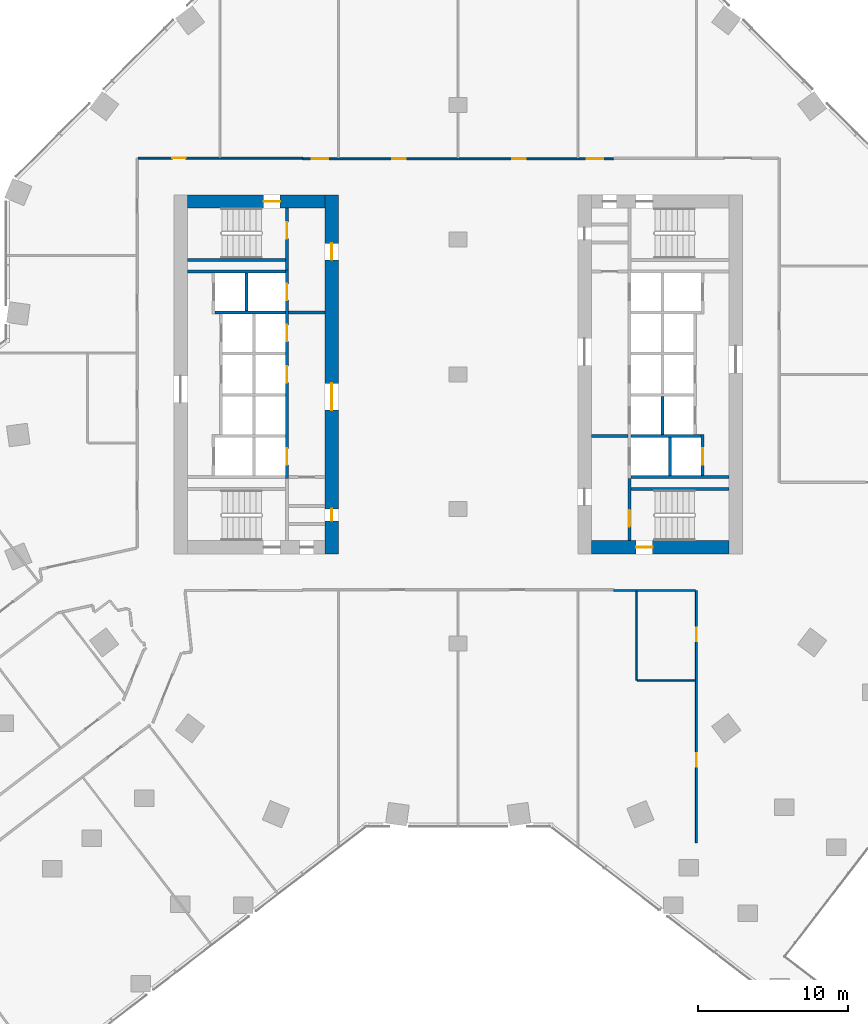
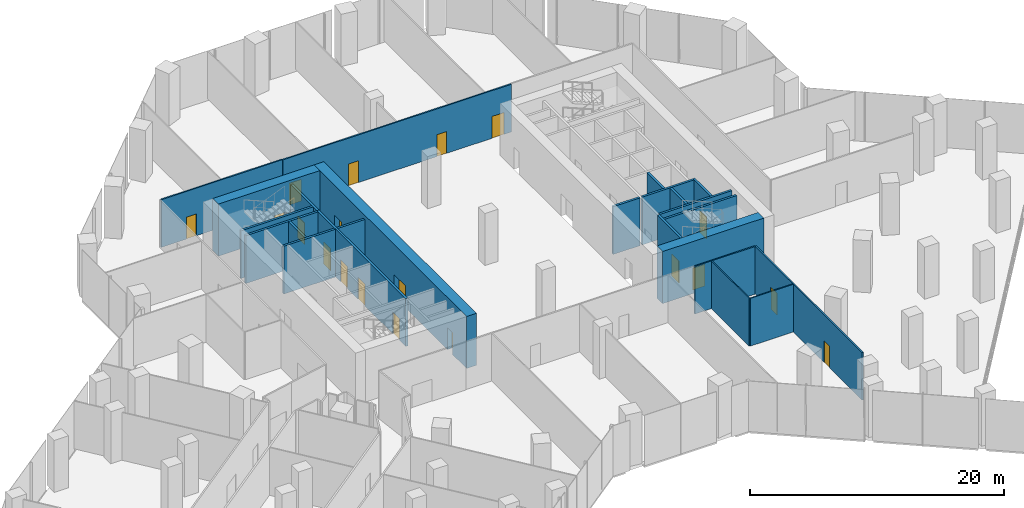
# One storey, part 24 of 29: 24 walls, 19 doors, 19 openings.
"""IFC4 building model written with IfcOpenShell, lengths in metres."""

from ifc_helpers import new_model, si_unit, direction, frame, frame_2d, origin, place, context, subcontext, project, spatial, rectangle, extrude, material, layer, layer_set, type_object, element, fill, save


model = new_model("IFC4")

# Units and contexts
model_context = context("Model", 3, precision=1e-05, world=origin(), true_north=direction((0.0, 1.0)))
body_context = subcontext(model_context, "Body", "Model", "MODEL_VIEW")
ifc_project = project(units=[si_unit("LENGTHUNIT", "METRE"), si_unit("AREAUNIT", "SQUARE_METRE"), si_unit("VOLUMEUNIT", "CUBIC_METRE"), si_unit("PLANEANGLEUNIT", "RADIAN"), si_unit("MASSUNIT", "GRAM", prefix="KILO")], contexts=[model_context])

# Site, building, storey
site_placement = place(None, origin())
site = spatial("IfcSite", under=ifc_project, at=site_placement, CompositionType="ELEMENT")
building_placement = place(site_placement, origin())
building = spatial("IfcBuilding", under=site, at=building_placement, Name="Orlundy Tower", CompositionType="ELEMENT")
storey_placement = place(building_placement, frame((0.0, 0.0, 15.5)))
storey = spatial("IfcBuildingStorey", under=building, at=storey_placement, Name="L02", CompositionType="ELEMENT", Elevation=15.5)

# Wall, opening, door
ifc_material_1 = material(Name="Concrete C80/95", Category="concrete")
ifc_layer_1 = layer(ifc_material_1, 0.89990234375)
ifc_layer_set_1 = layer_set([ifc_layer_1], Name="CORE WALL 900 C80/95")
wall_type_1 = type_object("IfcWallType", Name="CORE WALL 900 C80/95", PredefinedType="SHEAR", material=ifc_layer_set_1)
wall_1_placement = place(storey_placement, frame((-18.10009765625, 11.550048828125, 0.0), z_axis=(0.0, 0.0, 1.0), x_axis=(1.0, 0.0, 0.0)))
wall_1 = element("IfcWall", 1, at=wall_1_placement, inside=storey, type_object=wall_type_1, Name="Core wall W-N L02", PredefinedType="SHEAR", context=body_context, shape_type="SweptSolid", body=[
    extrude(rectangle(XDim=9.2001953125, YDim=0.89990234375, at=frame_2d((4.60009765625, 0.0))), origin(), (0.0, 0.0, 1.0), 5.0),
])
opening_1_placement = place(wall_1_placement, frame((5.10009765625, 0.0, 0.0)))
opening_1 = element("IfcOpeningElement", 2, at=opening_1_placement, cuts=wall_1, Name="Opening 03012", PredefinedType="OPENING", context=body_context, shape_type="SweptSolid", body=[
    extrude(rectangle(XDim=1.10009765625, YDim=2.10009765625, at=frame_2d((0.550048828125, 1.050048828125))), frame((0.0, 0.4599609375, 0.0), z_axis=(0.0, -1.0, 0.0), x_axis=(1.0, 0.0, 0.0)), (0.0, 0.0, 1.0), 0.919921875),
])
ifc_material_2 = material(Name="Steel door set", Category="steel")
door_type_1 = type_object("IfcDoorType", Name="Stair Door 1100x2100", OperationType="SINGLE_SWING_LEFT", PredefinedType="DOOR", material=ifc_material_2)
door_1_placement = place(opening_1_placement, origin())
door_1 = element("IfcDoor", 3, at=door_1_placement, inside=storey, type_object=door_type_1, Name="Stair door 03012", OperationType="SINGLE_SWING_RIGHT", OverallHeight=2.10009765625, OverallWidth=1.10009765625, PredefinedType="DOOR", context=body_context, shape_type="SweptSolid", body=[
    extrude(rectangle(XDim=1.10009765625, YDim=2.10009765625, at=frame_2d((0.550048828125, 1.050048828125))), frame((0.0, 0.02490234375, 0.0), z_axis=(0.0, -1.0, 0.0), x_axis=(1.0, 0.0, 0.0)), (0.0, 0.0, 1.0), 0.050048828125),
])
fill(opening_1, door_1)

# Wall, openings, doors
wall_2_placement = place(storey_placement, frame((-8.449951171875, -12.0, 0.0), z_axis=(0.0, 0.0, 1.0), x_axis=(0.0, 1.0, 0.0)))
wall_2 = element("IfcWall", 4, at=wall_2_placement, inside=storey, type_object=wall_type_1, Name="Core wall W-E L02", PredefinedType="SHEAR", context=body_context, shape_type="SweptSolid", body=[
    extrude(rectangle(XDim=24.0, YDim=0.89990234375, at=frame_2d((12.0, 0.0))), origin(), (0.0, 0.0, 1.0), 5.0),
])
opening_2_placement = place(wall_2_placement, frame((9.60009765625, 0.0, 0.0)))
opening_2 = element("IfcOpeningElement", 5, at=opening_2_placement, cuts=wall_2, Name="Opening 03009", PredefinedType="OPENING", context=body_context, shape_type="SweptSolid", body=[
    extrude(rectangle(XDim=1.800048828125, YDim=2.10009765625, at=frame_2d((0.89990234375, 1.050048828125))), frame((0.0, 0.4599609375, 0.0), z_axis=(0.0, -1.0, 0.0), x_axis=(1.0, 0.0, 0.0)), (0.0, 0.0, 1.0), 0.919921875),
])
opening_3_placement = place(wall_2_placement, frame((19.64990234375, 0.0, 0.0)))
opening_3 = element("IfcOpeningElement", 6, at=opening_3_placement, cuts=wall_2, Name="Opening 03011", PredefinedType="OPENING", context=body_context, shape_type="SweptSolid", body=[
    extrude(rectangle(XDim=1.10009765625, YDim=2.10009765625, at=frame_2d((0.550048828125, 1.050048828125))), frame((0.0, 0.4599609375, 0.0), z_axis=(0.0, -1.0, 0.0), x_axis=(1.0, 0.0, 0.0)), (0.0, 0.0, 1.0), 0.919921875),
])
opening_4_placement = place(wall_2_placement, frame((2.199951171875, 0.0, 0.0)))
opening_4 = element("IfcOpeningElement", 7, at=opening_4_placement, cuts=wall_2, Name="Opening 03016", PredefinedType="OPENING", context=body_context, shape_type="SweptSolid", body=[
    extrude(rectangle(XDim=0.800048828125, YDim=2.10009765625, at=frame_2d((0.39990234375, 1.050048828125))), frame((0.0, 0.4599609375, 0.0), z_axis=(0.0, -1.0, 0.0), x_axis=(1.0, 0.0, 0.0)), (0.0, 0.0, 1.0), 0.919921875),
])
ifc_material_3 = material(Name="Steel door set", Category="steel")
door_type_2 = type_object("IfcDoorType", Name="Fire-fighting Lobby Door 1100x2100", OperationType="SINGLE_SWING_LEFT", PredefinedType="DOOR", material=ifc_material_3)
door_2_placement = place(opening_3_placement, origin())
door_2 = element("IfcDoor", 8, at=door_2_placement, inside=storey, type_object=door_type_2, Name="Fire-fighting lobby door 03011", OperationType="SINGLE_SWING_RIGHT", OverallHeight=2.10009765625, OverallWidth=1.10009765625, PredefinedType="DOOR", context=body_context, shape_type="SweptSolid", body=[
    extrude(rectangle(XDim=1.10009765625, YDim=2.10009765625, at=frame_2d((0.550048828125, 1.050048828125))), frame((0.0, 0.02490234375, 0.0), z_axis=(0.0, -1.0, 0.0), x_axis=(1.0, 0.0, 0.0)), (0.0, 0.0, 1.0), 0.050048828125),
])
fill(opening_3, door_2)
ifc_material_4 = material(Name="Timber door set", Category="wood")
door_type_3 = type_object("IfcDoorType", Name="Lobby Door 1800x2100", OperationType="DOUBLE_DOOR_DOUBLE_SWING", PredefinedType="DOOR", material=ifc_material_4)
door_3_placement = place(opening_2_placement, origin())
door_3 = element("IfcDoor", 9, at=door_3_placement, inside=storey, type_object=door_type_3, Name="Lift lobby door 03009", OperationType="SINGLE_SWING_LEFT", OverallHeight=2.10009765625, OverallWidth=1.800048828125, PredefinedType="DOOR", context=body_context, shape_type="SweptSolid", body=[
    extrude(rectangle(XDim=1.800048828125, YDim=2.10009765625, at=frame_2d((0.89990234375, 1.050048828125))), frame((0.0, 0.02490234375, 0.0), z_axis=(0.0, -1.0, 0.0), x_axis=(1.0, 0.0, 0.0)), (0.0, 0.0, 1.0), 0.050048828125),
])
fill(opening_2, door_3)
ifc_material_5 = material(Name="Timber door set", Category="wood")
door_type_4 = type_object("IfcDoorType", Name="Riser Door 800x2100", OperationType="SINGLE_SWING_LEFT", PredefinedType="DOOR", material=ifc_material_5)
door_4_placement = place(opening_4_placement, origin())
door_4 = element("IfcDoor", 10, at=door_4_placement, inside=storey, type_object=door_type_4, Name="Door 03016", OperationType="SINGLE_SWING_LEFT", OverallHeight=2.10009765625, OverallWidth=0.800048828125, PredefinedType="DOOR", context=body_context, shape_type="SweptSolid", body=[
    extrude(rectangle(XDim=0.800048828125, YDim=2.10009765625, at=frame_2d((0.39990234375, 1.050048828125))), frame((0.0, 0.02490234375, 0.0), z_axis=(0.0, -1.0, 0.0), x_axis=(1.0, 0.0, 0.0)), (0.0, 0.0, 1.0), 0.050048828125),
])
fill(opening_4, door_4)

# Wall, opening, door
wall_3_placement = place(storey_placement, frame((8.89990234375, -11.550048828125, 0.0), z_axis=(0.0, 0.0, 1.0), x_axis=(1.0, 0.0, 0.0)))
wall_3 = element("IfcWall", 11, at=wall_3_placement, inside=storey, type_object=wall_type_1, Name="Core wall E-S L02", PredefinedType="SHEAR", context=body_context, shape_type="SweptSolid", body=[
    extrude(rectangle(XDim=9.2001953125, YDim=0.89990234375, at=frame_2d((4.60009765625, 0.0))), origin(), (0.0, 0.0, 1.0), 5.0),
])
opening_5_placement = place(wall_3_placement, frame((3.0, 0.0, 0.0)))
opening_5 = element("IfcOpeningElement", 12, at=opening_5_placement, cuts=wall_3, Name="Opening 03061", PredefinedType="OPENING", context=body_context, shape_type="SweptSolid", body=[
    extrude(rectangle(XDim=1.10009765625, YDim=2.10009765625, at=frame_2d((0.550048828125, 1.050048828125))), frame((0.0, 0.4599609375, 0.0), z_axis=(0.0, -1.0, 0.0), x_axis=(1.0, 0.0, 0.0)), (0.0, 0.0, 1.0), 0.919921875),
])
door_5_placement = place(opening_5_placement, origin())
door_5 = element("IfcDoor", 13, at=door_5_placement, inside=storey, type_object=door_type_1, Name="Stair door 03061", OperationType="SINGLE_SWING_LEFT", OverallHeight=2.10009765625, OverallWidth=1.10009765625, PredefinedType="DOOR", context=body_context, shape_type="SweptSolid", body=[
    extrude(rectangle(XDim=1.10009765625, YDim=2.10009765625, at=frame_2d((0.550048828125, 1.050048828125))), frame((0.0, 0.02490234375, 0.0), z_axis=(0.0, -1.0, 0.0), x_axis=(1.0, 0.0, 0.0)), (0.0, 0.0, 1.0), 0.050048828125),
])
fill(opening_5, door_5)

# Walls
ifc_material_6 = material(Name="Gypsum board partition")
ifc_layer_2 = layer(ifc_material_6, 0.10009765625)
ifc_layer_set_2 = layer_set([ifc_layer_2], Name="Floor partition 100")
wall_type_2 = type_object("IfcWallType", Name="Floor partition 100", PredefinedType="PARTITIONING", material=ifc_layer_set_2)
wall_4_placement = place(storey_placement, frame((11.972900390625, -20.449951171875, 0.0), z_axis=(0.0, 0.0, 1.0), x_axis=(1.0, 0.0, 0.0)))
element("IfcWall", 14, at=wall_4_placement, inside=storey, type_object=wall_type_2, Name="wall-int-L02-021", PredefinedType="PARTITIONING", context=body_context, shape_type="SweptSolid", body=[
    extrude(rectangle(XDim=3.885009765625, YDim=0.10009765625, at=frame_2d((1.9423828125, 0.0))), origin(), (0.0, 0.0, 1.0), 4.580078125),
])
wall_5_placement = place(storey_placement, frame((11.923095703125, -20.449951171875, 0.0), z_axis=(0.0, 0.0, 1.0), x_axis=(0.0, 1.0, 0.0)))
element("IfcWall", 15, at=wall_5_placement, inside=storey, type_object=wall_type_2, Name="wall-int-L02-053", PredefinedType="PARTITIONING", context=body_context, shape_type="SweptSolid", body=[
    extrude(rectangle(XDim=5.93603515625, YDim=0.10009765625, at=frame_2d((2.968017578125, 0.0))), origin(), (0.0, 0.0, 1.0), 4.580078125),
])
ifc_material_7 = material(Name="Gypsum board partition, double layer")
ifc_layer_3 = layer(ifc_material_7, 0.125)
ifc_layer_set_3 = layer_set([ifc_layer_3], Name="Floor partition 125")
wall_type_3 = type_object("IfcWallType", Name="Floor partition 125", PredefinedType="PARTITIONING", material=ifc_layer_set_3)
wall_6_placement = place(storey_placement, frame((10.39111328125, -14.450927734375, 0.0), z_axis=(0.0, 0.0, 1.0), x_axis=(1.0, 0.0, 0.0)))
element("IfcWall", 16, at=wall_6_placement, inside=storey, type_object=wall_type_3, Name="wall-int-L02-023", PredefinedType="PARTITIONING", context=body_context, shape_type="SweptSolid", body=[
    extrude(rectangle(XDim=5.466796875, YDim=0.125, at=frame_2d((2.7333984375, 0.0))), origin(), (0.0, 0.0, 1.0), 4.580078125),
])

# Wall, openings, doors
wall_7_placement = place(storey_placement, frame((-10.389892578125, 14.40087890625, 0.0), z_axis=(0.0, 0.0, 1.0), x_axis=(1.0, 0.0, 0.0)))
wall_7 = element("IfcWall", 17, at=wall_7_placement, inside=storey, type_object=wall_type_3, Name="wall-int-L02-031", PredefinedType="PARTITIONING", context=body_context, shape_type="SweptSolid", body=[
    extrude(rectangle(XDim=20.781005859375, YDim=0.125, at=frame_2d((10.390625, 0.0))), origin(), (0.0, 0.0, 1.0), 4.580078125),
])
opening_6_placement = place(wall_7_placement, frame((18.989990234375, 0.0, 0.0)))
opening_6 = element("IfcOpeningElement", 18, at=opening_6_placement, cuts=wall_7, Name="Opening 03121", PredefinedType="OPENING", context=body_context, shape_type="SweptSolid", body=[
    extrude(rectangle(XDim=1.10009765625, YDim=2.10009765625, at=frame_2d((0.550048828125, 1.050048828125))), frame((0.0, 0.072509765625, 0.0), z_axis=(0.0, -1.0, 0.0), x_axis=(1.0, 0.0, 0.0)), (0.0, 0.0, 1.0), 0.14501953125),
])
opening_7_placement = place(wall_7_placement, frame((13.989990234375, 0.0, 0.0)))
opening_7 = element("IfcOpeningElement", 19, at=opening_7_placement, cuts=wall_7, Name="Opening 03122", PredefinedType="OPENING", context=body_context, shape_type="SweptSolid", body=[
    extrude(rectangle(XDim=0.89990234375, YDim=2.10009765625, at=frame_2d((0.449951171875, 1.050048828125))), frame((0.0, 0.072509765625, 0.0), z_axis=(0.0, -1.0, 0.0), x_axis=(1.0, 0.0, 0.0)), (0.0, 0.0, 1.0), 0.14501953125),
])
opening_8_placement = place(wall_7_placement, frame((5.989990234375, 0.0, 0.0)))
opening_8 = element("IfcOpeningElement", 20, at=opening_8_placement, cuts=wall_7, Name="Opening 03123", PredefinedType="OPENING", context=body_context, shape_type="SweptSolid", body=[
    extrude(rectangle(XDim=0.89990234375, YDim=2.10009765625, at=frame_2d((0.449951171875, 1.050048828125))), frame((0.0, 0.072509765625, 0.0), z_axis=(0.0, -1.0, 0.0), x_axis=(1.0, 0.0, 0.0)), (0.0, 0.0, 1.0), 0.14501953125),
])
opening_9_placement = place(wall_7_placement, frame((0.60009765625, 0.0, 0.0)))
opening_9 = element("IfcOpeningElement", 21, at=opening_9_placement, cuts=wall_7, Name="Opening 03124", PredefinedType="OPENING", context=body_context, shape_type="SweptSolid", body=[
    extrude(rectangle(XDim=1.10009765625, YDim=2.10009765625, at=frame_2d((0.550048828125, 1.050048828125))), frame((0.0, 0.072509765625, 0.0), z_axis=(0.0, -1.0, 0.0), x_axis=(1.0, 0.0, 0.0)), (0.0, 0.0, 1.0), 0.14501953125),
])
ifc_material_8 = material(Name="Timber door leaf", Category="wood")
door_type_5 = type_object("IfcDoorType", Name="Floor door single 900 FD30S", OperationType="NOTDEFINED", PredefinedType="DOOR", material=ifc_material_8)
door_6_placement = place(opening_7_placement, origin())
door_6 = element("IfcDoor", 22, at=door_6_placement, inside=storey, type_object=door_type_5, Name="Door 03122", OperationType="SINGLE_SWING_RIGHT", OverallHeight=2.10009765625, OverallWidth=0.89990234375, PredefinedType="DOOR", context=body_context, shape_type="SweptSolid", body=[
    extrude(rectangle(XDim=0.89990234375, YDim=2.10009765625, at=frame_2d((0.449951171875, 1.050048828125))), frame((0.0, 0.02490234375, 0.0), z_axis=(0.0, -1.0, 0.0), x_axis=(1.0, 0.0, 0.0)), (0.0, 0.0, 1.0), 0.050048828125),
])
fill(opening_7, door_6)
door_7_placement = place(opening_8_placement, origin())
door_7 = element("IfcDoor", 23, at=door_7_placement, inside=storey, type_object=door_type_5, Name="Door 03123", OperationType="SINGLE_SWING_LEFT", OverallHeight=2.10009765625, OverallWidth=0.89990234375, PredefinedType="DOOR", context=body_context, shape_type="SweptSolid", body=[
    extrude(rectangle(XDim=0.89990234375, YDim=2.10009765625, at=frame_2d((0.449951171875, 1.050048828125))), frame((0.0, 0.02490234375, 0.0), z_axis=(0.0, -1.0, 0.0), x_axis=(1.0, 0.0, 0.0)), (0.0, 0.0, 1.0), 0.050048828125),
])
fill(opening_8, door_7)
ifc_material_9 = material(Name="Timber door leaf", Category="wood")
door_type_6 = type_object("IfcDoorType", Name="Floor door xwide 1100 FD30S", OperationType="NOTDEFINED", PredefinedType="DOOR", material=ifc_material_9)
door_8_placement = place(opening_6_placement, origin())
door_8 = element("IfcDoor", 24, at=door_8_placement, inside=storey, type_object=door_type_6, Name="Door 03121", OperationType="SINGLE_SWING_RIGHT", OverallHeight=2.10009765625, OverallWidth=1.10009765625, PredefinedType="DOOR", context=body_context, shape_type="SweptSolid", body=[
    extrude(rectangle(XDim=1.10009765625, YDim=2.10009765625, at=frame_2d((0.550048828125, 1.050048828125))), frame((0.0, 0.02490234375, 0.0), z_axis=(0.0, -1.0, 0.0), x_axis=(1.0, 0.0, 0.0)), (0.0, 0.0, 1.0), 0.050048828125),
])
fill(opening_6, door_8)
door_9_placement = place(opening_9_placement, origin())
door_9 = element("IfcDoor", 25, at=door_9_placement, inside=storey, type_object=door_type_6, Name="Door 03124", OperationType="SINGLE_SWING_LEFT", OverallHeight=2.10009765625, OverallWidth=1.10009765625, PredefinedType="DOOR", context=body_context, shape_type="SweptSolid", body=[
    extrude(rectangle(XDim=1.10009765625, YDim=2.10009765625, at=frame_2d((0.550048828125, 1.050048828125))), frame((0.0, 0.02490234375, 0.0), z_axis=(0.0, -1.0, 0.0), x_axis=(1.0, 0.0, 0.0)), (0.0, 0.0, 1.0), 0.050048828125),
])
fill(opening_9, door_9)

# Wall, opening, door
wall_8_placement = place(storey_placement, frame((-21.386962890625, 14.450927734375, 0.0), z_axis=(0.0, 0.0, 1.0), x_axis=(1.0, 0.0, 0.0)))
wall_8 = element("IfcWall", 26, at=wall_8_placement, inside=storey, type_object=wall_type_3, Name="wall-int-L02-032", PredefinedType="PARTITIONING", context=body_context, shape_type="SweptSolid", body=[
    extrude(rectangle(XDim=10.995849609375, YDim=0.125, at=frame_2d((5.498046875, 0.0))), origin(), (0.0, 0.0, 1.0), 4.580078125),
])
opening_10_placement = place(wall_8_placement, frame((2.28759765625, 0.0, 0.0)))
opening_10 = element("IfcOpeningElement", 27, at=opening_10_placement, cuts=wall_8, Name="Opening 03126", PredefinedType="OPENING", context=body_context, shape_type="SweptSolid", body=[
    extrude(rectangle(XDim=0.89990234375, YDim=2.10009765625, at=frame_2d((0.449951171875, 1.050048828125))), frame((0.0, 0.072509765625, 0.0), z_axis=(0.0, -1.0, 0.0), x_axis=(1.0, 0.0, 0.0)), (0.0, 0.0, 1.0), 0.14501953125),
])
door_10_placement = place(opening_10_placement, origin())
door_10 = element("IfcDoor", 28, at=door_10_placement, inside=storey, type_object=door_type_5, Name="Door 03126", OperationType="SINGLE_SWING_LEFT", OverallHeight=2.10009765625, OverallWidth=0.89990234375, PredefinedType="DOOR", context=body_context, shape_type="SweptSolid", body=[
    extrude(rectangle(XDim=0.89990234375, YDim=2.10009765625, at=frame_2d((0.449951171875, 1.050048828125))), frame((0.0, 0.02490234375, 0.0), z_axis=(0.0, -1.0, 0.0), x_axis=(1.0, 0.0, 0.0)), (0.0, 0.0, 1.0), 0.050048828125),
])
fill(opening_10, door_10)

# Wall, openings, doors
wall_9_placement = place(storey_placement, frame((15.9208984375, -31.31396484375, 0.0), z_axis=(0.0, 0.0, 1.0), x_axis=(0.0, 1.0, 0.0)))
wall_9 = element("IfcWall", 29, at=wall_9_placement, inside=storey, type_object=wall_type_3, Name="wall-int-L02-051", PredefinedType="PARTITIONING", context=body_context, shape_type="SweptSolid", body=[
    extrude(rectangle(XDim=16.863037109375, YDim=0.125, at=frame_2d((8.431640625, 0.0))), origin(), (0.0, 0.0, 1.0), 4.580078125),
])
opening_11_placement = place(wall_9_placement, frame((5.10009765625, 0.0, 0.0)))
opening_11 = element("IfcOpeningElement", 30, at=opening_11_placement, cuts=wall_9, Name="Opening 03117", PredefinedType="OPENING", context=body_context, shape_type="SweptSolid", body=[
    extrude(rectangle(XDim=0.89990234375, YDim=2.10009765625, at=frame_2d((0.449951171875, 1.050048828125))), frame((0.0, 0.072509765625, 0.0), z_axis=(0.0, -1.0, 0.0), x_axis=(1.0, 0.0, 0.0)), (0.0, 0.0, 1.0), 0.14501953125),
])
opening_12_placement = place(wall_9_placement, frame((13.464111328125, 0.0, 0.0)))
opening_12 = element("IfcOpeningElement", 31, at=opening_12_placement, cuts=wall_9, Name="Opening 03128", PredefinedType="OPENING", context=body_context, shape_type="SweptSolid", body=[
    extrude(rectangle(XDim=0.89990234375, YDim=2.10009765625, at=frame_2d((0.449951171875, 1.050048828125))), frame((0.0, 0.072509765625, 0.0), z_axis=(0.0, -1.0, 0.0), x_axis=(1.0, 0.0, 0.0)), (0.0, 0.0, 1.0), 0.14501953125),
])
door_11_placement = place(opening_11_placement, origin())
door_11 = element("IfcDoor", 32, at=door_11_placement, inside=storey, type_object=door_type_5, Name="Door 03117", OperationType="SINGLE_SWING_LEFT", OverallHeight=2.10009765625, OverallWidth=0.89990234375, PredefinedType="DOOR", context=body_context, shape_type="SweptSolid", body=[
    extrude(rectangle(XDim=0.89990234375, YDim=2.10009765625, at=frame_2d((0.449951171875, 1.050048828125))), frame((0.0, 0.02490234375, 0.0), z_axis=(0.0, -1.0, 0.0), x_axis=(1.0, 0.0, 0.0)), (0.0, 0.0, 1.0), 0.050048828125),
])
fill(opening_11, door_11)
door_12_placement = place(opening_12_placement, origin())
door_12 = element("IfcDoor", 33, at=door_12_placement, inside=storey, type_object=door_type_5, Name="Door 03128", OperationType="SINGLE_SWING_RIGHT", OverallHeight=2.10009765625, OverallWidth=0.89990234375, PredefinedType="DOOR", context=body_context, shape_type="SweptSolid", body=[
    extrude(rectangle(XDim=0.89990234375, YDim=2.10009765625, at=frame_2d((0.449951171875, 1.050048828125))), frame((0.0, 0.02490234375, 0.0), z_axis=(0.0, -1.0, 0.0), x_axis=(1.0, 0.0, 0.0)), (0.0, 0.0, 1.0), 0.050048828125),
])
fill(opening_12, door_12)

# Wall, opening, door
ifc_material_10 = material(Name="Concrete C40/50", Category="concrete")
ifc_layer_4 = layer(ifc_material_10, 0.199951171875)
ifc_layer_set_4 = layer_set([ifc_layer_4], Name="Load-bearing Shaft Wall 200")
wall_type_4 = type_object("IfcWallType", Name="Load-bearing Shaft Wall 200", PredefinedType="SOLIDWALL", material=ifc_layer_set_4)
wall_10_placement = place(storey_placement, frame((-11.43994140625, 6.97509765625, 0.0), z_axis=(0.0, 0.0, 1.0), x_axis=(0.0, 1.0, 0.0)))
wall_10 = element("IfcWall", 34, at=wall_10_placement, inside=storey, type_object=wall_type_4, Name="Shaft wall W03-stair-end-n", PredefinedType="SOLIDWALL", context=body_context, shape_type="SweptSolid", body=[
    extrude(rectangle(XDim=4.125, YDim=0.199951171875, at=frame_2d((2.0625, 0.0))), origin(), (0.0, 0.0, 1.0), 4.590087890625),
])
opening_13_placement = place(wall_10_placement, frame((2.10009765625, 0.0, 0.0)))
opening_13 = element("IfcOpeningElement", 35, at=opening_13_placement, cuts=wall_10, Name="Opening 03014", PredefinedType="OPENING", context=body_context, shape_type="SweptSolid", body=[
    extrude(rectangle(XDim=1.10009765625, YDim=2.10009765625, at=frame_2d((0.550048828125, 1.050048828125))), frame((0.0, 0.110107421875, 0.0), z_axis=(0.0, -1.0, 0.0), x_axis=(1.0, 0.0, 0.0)), (0.0, 0.0, 1.0), 0.22021484375),
])
door_13_placement = place(opening_13_placement, origin())
door_13 = element("IfcDoor", 36, at=door_13_placement, inside=storey, type_object=door_type_2, Name="Fire-fighting lobby to stair door 03014", OperationType="SINGLE_SWING_RIGHT", OverallHeight=2.10009765625, OverallWidth=1.10009765625, PredefinedType="DOOR", context=body_context, shape_type="SweptSolid", body=[
    extrude(rectangle(XDim=1.10009765625, YDim=2.10009765625, at=frame_2d((0.550048828125, 1.050048828125))), frame((0.0, 0.02490234375, 0.0), z_axis=(0.0, -1.0, 0.0), x_axis=(1.0, 0.0, 0.0)), (0.0, 0.0, 1.0), 0.050048828125),
])
fill(opening_13, door_13)

# Wall
wall_11_placement = place(storey_placement, frame((-11.5400390625, 7.64990234375, 0.0), z_axis=(0.0, 0.0, 1.0), x_axis=(-1.0, 0.0, 0.0)))
element("IfcWall", 37, at=wall_11_placement, inside=storey, type_object=wall_type_4, Name="Shaft wall W03-stair-side-n", PredefinedType="SOLIDWALL", context=body_context, shape_type="SweptSolid", body=[
    extrude(rectangle(XDim=6.56005859375, YDim=0.199951171875, at=frame_2d((3.280029296875, 0.0))), origin(), (0.0, 0.0, 1.0), 4.590087890625),
])

# Wall, opening, door
wall_12_placement = place(storey_placement, frame((11.43994140625, -6.97509765625, 0.0), z_axis=(0.0, 0.0, 1.0), x_axis=(0.0, -1.0, 0.0)))
wall_12 = element("IfcWall", 38, at=wall_12_placement, inside=storey, type_object=wall_type_4, Name="Shaft wall E03-stair-end-n", PredefinedType="SOLIDWALL", context=body_context, shape_type="SweptSolid", body=[
    extrude(rectangle(XDim=4.125, YDim=0.199951171875, at=frame_2d((2.0625, 0.0))), origin(), (0.0, 0.0, 1.0), 4.590087890625),
])
opening_14_placement = place(wall_12_placement, frame((2.10009765625, 0.0, 0.0)))
opening_14 = element("IfcOpeningElement", 39, at=opening_14_placement, cuts=wall_12, Name="Opening 03063", PredefinedType="OPENING", context=body_context, shape_type="SweptSolid", body=[
    extrude(rectangle(XDim=1.10009765625, YDim=2.10009765625, at=frame_2d((0.550048828125, 1.050048828125))), frame((0.0, 0.110107421875, 0.0), z_axis=(0.0, -1.0, 0.0), x_axis=(1.0, 0.0, 0.0)), (0.0, 0.0, 1.0), 0.22021484375),
])
door_14_placement = place(opening_14_placement, origin())
door_14 = element("IfcDoor", 40, at=door_14_placement, inside=storey, type_object=door_type_2, Name="Fire-fighting lobby to stair door 03063", OperationType="SINGLE_SWING_RIGHT", OverallHeight=2.10009765625, OverallWidth=1.10009765625, PredefinedType="DOOR", context=body_context, shape_type="SweptSolid", body=[
    extrude(rectangle(XDim=1.10009765625, YDim=2.10009765625, at=frame_2d((0.550048828125, 1.050048828125))), frame((0.0, 0.02490234375, 0.0), z_axis=(0.0, -1.0, 0.0), x_axis=(1.0, 0.0, 0.0)), (0.0, 0.0, 1.0), 0.050048828125),
])
fill(opening_14, door_14)

# Walls
wall_13_placement = place(storey_placement, frame((11.5400390625, -7.64990234375, 0.0), z_axis=(0.0, 0.0, 1.0), x_axis=(1.0, 0.0, 0.0)))
element("IfcWall", 41, at=wall_13_placement, inside=storey, type_object=wall_type_4, Name="Shaft wall E03-stair-side-n", PredefinedType="SOLIDWALL", context=body_context, shape_type="SweptSolid", body=[
    extrude(rectangle(XDim=6.56005859375, YDim=0.199951171875, at=frame_2d((3.280029296875, 0.0))), origin(), (0.0, 0.0, 1.0), 4.590087890625),
])
ifc_material_11 = material(Name="Gypsum board partition on steel studs", Category="steel")
ifc_layer_5 = layer(ifc_material_11, 0.199951171875)
ifc_layer_set_5 = layer_set([ifc_layer_5], Name="Partition 200")
wall_type_5 = type_object("IfcWallType", Name="Partition 200", PredefinedType="PARTITIONING", material=ifc_layer_set_5)
for number, where, z_axis, x_axis, name in (
    (42, (-8.89990234375, 4.125, 0.0), (0.0, 0.0, 1.0), (-1.0, 0.0, 0.0), "Partition wall W03-lobby-n"),
    (43, (8.89990234375, -4.125, 0.0), (0.0, 0.0, 1.0), (1.0, 0.0, 0.0), "Partition wall E03-lobby-n"),
):
    element("IfcWall", number, at=place(storey_placement, frame(where, z_axis=z_axis, x_axis=x_axis)), inside=storey, type_object=wall_type_5, Name=name, PredefinedType="PARTITIONING", context=body_context, shape_type="SweptSolid", body=[
        extrude(rectangle(XDim=2.440185546875, YDim=0.199951171875, at=frame_2d((1.22021484375, 0.0))), origin(), (0.0, 0.0, 1.0), 4.590087890625),
    ])
ifc_material_12 = material(Name="Fire-rated blockwork shaft wall", Category="masonry")
ifc_layer_6 = layer(ifc_material_12, 0.199951171875)
ifc_layer_set_6 = layer_set([ifc_layer_6], Name="Shaft Wall 200")
wall_type_6 = type_object("IfcWallType", Name="Shaft Wall 200", PredefinedType="SOLIDWALL", material=ifc_layer_set_6)
wall_14_placement = place(storey_placement, frame((-11.5400390625, 6.875, 0.0), z_axis=(0.0, 0.0, 1.0), x_axis=(-1.0, 0.0, 0.0)))
element("IfcWall", 44, at=wall_14_placement, inside=storey, type_object=wall_type_6, Name="Shaft wall W03-zone-n", PredefinedType="SOLIDWALL", context=body_context, shape_type="SweptSolid", body=[
    extrude(rectangle(XDim=6.56005859375, YDim=0.199951171875, at=frame_2d((3.280029296875, 0.0))), origin(), (0.0, 0.0, 1.0), 4.590087890625),
])
wall_15_placement = place(storey_placement, frame((-11.5400390625, 4.125, 0.0), z_axis=(0.0, 0.0, 1.0), x_axis=(-1.0, 0.0, 0.0)))
element("IfcWall", 45, at=wall_15_placement, inside=storey, type_object=wall_type_6, Name="Shaft wall W03-cross+4.125", PredefinedType="SOLIDWALL", context=body_context, shape_type="SweptSolid", body=[
    extrude(rectangle(XDim=4.699951171875, YDim=0.199951171875, at=frame_2d((2.35009765625, 0.0))), origin(), (0.0, 0.0, 1.0), 4.590087890625),
])

# Wall, openings, doors
wall_16_placement = place(storey_placement, frame((-11.43994140625, -6.97509765625, 0.0), z_axis=(0.0, 0.0, 1.0), x_axis=(0.0, 1.0, 0.0)))
wall_16 = element("IfcWall", 46, at=wall_16_placement, inside=storey, type_object=wall_type_6, Name="Shaft wall W03-front-h", PredefinedType="SOLIDWALL", context=body_context, shape_type="SweptSolid", body=[
    extrude(rectangle(XDim=13.9501953125, YDim=0.199951171875, at=frame_2d((6.97509765625, 0.0))), origin(), (0.0, 0.0, 1.0), 4.590087890625),
])
opening_15_placement = place(wall_16_placement, frame((0.925048828125, 0.0, 0.0)))
opening_15 = element("IfcOpeningElement", 47, at=opening_15_placement, cuts=wall_16, Name="Opening 03001", PredefinedType="OPENING", context=body_context, shape_type="SweptSolid", body=[
    extrude(rectangle(XDim=1.10009765625, YDim=2.10009765625, at=frame_2d((0.550048828125, 1.050048828125))), frame((0.0, 0.110107421875, 0.0), z_axis=(0.0, -1.0, 0.0), x_axis=(1.0, 0.0, 0.0)), (0.0, 0.0, 1.0), 0.22021484375),
])
opening_16_placement = place(wall_16_placement, frame((6.425048828125, 0.0, 0.0)))
opening_16 = element("IfcOpeningElement", 48, at=opening_16_placement, cuts=wall_16, Name="Opening 03003", PredefinedType="OPENING", context=body_context, shape_type="SweptSolid", body=[
    extrude(rectangle(XDim=1.10009765625, YDim=2.10009765625, at=frame_2d((0.550048828125, 1.050048828125))), frame((0.0, 0.110107421875, 0.0), z_axis=(0.0, -1.0, 0.0), x_axis=(1.0, 0.0, 0.0)), (0.0, 0.0, 1.0), 0.22021484375),
])
opening_17_placement = place(wall_16_placement, frame((9.175048828125, 0.0, 0.0)))
opening_17 = element("IfcOpeningElement", 49, at=opening_17_placement, cuts=wall_16, Name="Opening 03005", PredefinedType="OPENING", context=body_context, shape_type="SweptSolid", body=[
    extrude(rectangle(XDim=1.10009765625, YDim=2.10009765625, at=frame_2d((0.550048828125, 1.050048828125))), frame((0.0, 0.110107421875, 0.0), z_axis=(0.0, -1.0, 0.0), x_axis=(1.0, 0.0, 0.0)), (0.0, 0.0, 1.0), 0.22021484375),
])
opening_18_placement = place(wall_16_placement, frame((11.925048828125, 0.0, 0.0)))
opening_18 = element("IfcOpeningElement", 50, at=opening_18_placement, cuts=wall_16, Name="Opening 03007", PredefinedType="OPENING", context=body_context, shape_type="SweptSolid", body=[
    extrude(rectangle(XDim=1.10009765625, YDim=2.10009765625, at=frame_2d((0.550048828125, 1.050048828125))), frame((0.0, 0.110107421875, 0.0), z_axis=(0.0, -1.0, 0.0), x_axis=(1.0, 0.0, 0.0)), (0.0, 0.0, 1.0), 0.22021484375),
])
ifc_material_13 = material(Name="Steel door set", Category="steel")
door_type_7 = type_object("IfcDoorType", Name="Landing Door 1100x2100", OperationType="DOUBLE_DOOR_SLIDING", PredefinedType="DOOR", material=ifc_material_13)
door_15_placement = place(opening_15_placement, origin())
door_15 = element("IfcDoor", 51, at=door_15_placement, inside=storey, type_object=door_type_7, Name="Lift landing door LPD-01 03001", OperationType="DOUBLE_DOOR_SLIDING", OverallHeight=2.10009765625, OverallWidth=1.10009765625, PredefinedType="DOOR", context=body_context, shape_type="SweptSolid", body=[
    extrude(rectangle(XDim=1.10009765625, YDim=2.10009765625, at=frame_2d((0.550048828125, 1.050048828125))), frame((0.0, 0.02490234375, 0.0), z_axis=(0.0, -1.0, 0.0), x_axis=(1.0, 0.0, 0.0)), (0.0, 0.0, 1.0), 0.050048828125),
])
fill(opening_15, door_15)
door_16_placement = place(opening_16_placement, origin())
door_16 = element("IfcDoor", 52, at=door_16_placement, inside=storey, type_object=door_type_7, Name="Lift landing door LP-05 03003", OperationType="DOUBLE_DOOR_SLIDING", OverallHeight=2.10009765625, OverallWidth=1.10009765625, PredefinedType="DOOR", context=body_context, shape_type="SweptSolid", body=[
    extrude(rectangle(XDim=1.10009765625, YDim=2.10009765625, at=frame_2d((0.550048828125, 1.050048828125))), frame((0.0, 0.02490234375, 0.0), z_axis=(0.0, -1.0, 0.0), x_axis=(1.0, 0.0, 0.0)), (0.0, 0.0, 1.0), 0.050048828125),
])
fill(opening_16, door_16)
door_17_placement = place(opening_17_placement, origin())
door_17 = element("IfcDoor", 53, at=door_17_placement, inside=storey, type_object=door_type_7, Name="Lift landing door LP-02 03005", OperationType="DOUBLE_DOOR_SLIDING", OverallHeight=2.10009765625, OverallWidth=1.10009765625, PredefinedType="DOOR", context=body_context, shape_type="SweptSolid", body=[
    extrude(rectangle(XDim=1.10009765625, YDim=2.10009765625, at=frame_2d((0.550048828125, 1.050048828125))), frame((0.0, 0.02490234375, 0.0), z_axis=(0.0, -1.0, 0.0), x_axis=(1.0, 0.0, 0.0)), (0.0, 0.0, 1.0), 0.050048828125),
])
fill(opening_17, door_17)
door_18_placement = place(opening_18_placement, origin())
door_18 = element("IfcDoor", 54, at=door_18_placement, inside=storey, type_object=door_type_7, Name="Lift landing door FL1 03007", OperationType="DOUBLE_DOOR_SLIDING", OverallHeight=2.10009765625, OverallWidth=1.10009765625, PredefinedType="DOOR", context=body_context, shape_type="SweptSolid", body=[
    extrude(rectangle(XDim=1.10009765625, YDim=2.10009765625, at=frame_2d((0.550048828125, 1.050048828125))), frame((0.0, 0.02490234375, 0.0), z_axis=(0.0, -1.0, 0.0), x_axis=(1.0, 0.0, 0.0)), (0.0, 0.0, 1.0), 0.050048828125),
])
fill(opening_18, door_18)

# Walls
wall_17_placement = place(storey_placement, frame((-14.139892578125, 4.22509765625, 0.0), z_axis=(0.0, 0.0, 1.0), x_axis=(0.0, 1.0, 0.0)))
element("IfcWall", 55, at=wall_17_placement, inside=storey, type_object=wall_type_6, Name="Shaft wall W03-mid-b", PredefinedType="SOLIDWALL", context=body_context, shape_type="SweptSolid", body=[
    extrude(rectangle(XDim=2.5498046875, YDim=0.199951171875, at=frame_2d((1.27490234375, 0.0))), origin(), (0.0, 0.0, 1.0), 4.590087890625),
])
wall_18_placement = place(storey_placement, frame((11.5400390625, -6.875, 0.0), z_axis=(0.0, 0.0, 1.0), x_axis=(1.0, 0.0, 0.0)))
element("IfcWall", 56, at=wall_18_placement, inside=storey, type_object=wall_type_6, Name="Shaft wall E03-zone-n", PredefinedType="SOLIDWALL", context=body_context, shape_type="SweptSolid", body=[
    extrude(rectangle(XDim=6.56005859375, YDim=0.199951171875, at=frame_2d((3.280029296875, 0.0))), origin(), (0.0, 0.0, 1.0), 4.590087890625),
])
wall_19_placement = place(storey_placement, frame((11.5400390625, -4.125, 0.0), z_axis=(0.0, 0.0, 1.0), x_axis=(1.0, 0.0, 0.0)))
element("IfcWall", 57, at=wall_19_placement, inside=storey, type_object=wall_type_6, Name="Shaft wall E03-cross+4.125", PredefinedType="SOLIDWALL", context=body_context, shape_type="SweptSolid", body=[
    extrude(rectangle(XDim=4.699951171875, YDim=0.199951171875, at=frame_2d((2.35009765625, 0.0))), origin(), (0.0, 0.0, 1.0), 4.590087890625),
])
for number, where, z_axis, x_axis, name in (
    (58, (13.639892578125, -1.47509765625, 0.0), (0.0, 0.0, 1.0), (0.0, -1.0, 0.0), "Shaft wall E03-mid-a.3"),
    (59, (14.139892578125, -4.22509765625, 0.0), (0.0, 0.0, 1.0), (0.0, -1.0, 0.0), "Shaft wall E03-mid-b"),
):
    element("IfcWall", number, at=place(storey_placement, frame(where, z_axis=z_axis, x_axis=x_axis)), inside=storey, type_object=wall_type_6, Name=name, PredefinedType="SOLIDWALL", context=body_context, shape_type="SweptSolid", body=[
        extrude(rectangle(XDim=2.5498046875, YDim=0.199951171875, at=frame_2d((1.27490234375, 0.0))), origin(), (0.0, 0.0, 1.0), 4.590087890625),
    ])

# Wall, opening, door
wall_20_placement = place(storey_placement, frame((16.340087890625, -4.02490234375, 0.0), z_axis=(0.0, 0.0, 1.0), x_axis=(0.0, -1.0, 0.0)))
wall_20 = element("IfcWall", 60, at=wall_20_placement, inside=storey, type_object=wall_type_6, Name="Shaft wall E03-front-o-c", PredefinedType="SOLIDWALL", context=body_context, shape_type="SweptSolid", body=[
    extrude(rectangle(XDim=2.75, YDim=0.199951171875, at=frame_2d((1.375, 0.0))), origin(), (0.0, 0.0, 1.0), 4.590087890625),
])
opening_19_placement = place(wall_20_placement, frame((0.925048828125, 0.0, 0.0)))
opening_19 = element("IfcOpeningElement", 61, at=opening_19_placement, cuts=wall_20, Name="Opening 03057", PredefinedType="OPENING", context=body_context, shape_type="SweptSolid", body=[
    extrude(rectangle(XDim=1.10009765625, YDim=2.10009765625, at=frame_2d((0.550048828125, 1.050048828125))), frame((0.0, 0.110107421875, 0.0), z_axis=(0.0, -1.0, 0.0), x_axis=(1.0, 0.0, 0.0)), (0.0, 0.0, 1.0), 0.22021484375),
])
door_19_placement = place(opening_19_placement, origin())
door_19 = element("IfcDoor", 62, at=door_19_placement, inside=storey, type_object=door_type_7, Name="Lift landing door LP-09 03057", OperationType="DOUBLE_DOOR_SLIDING", OverallHeight=2.10009765625, OverallWidth=1.10009765625, PredefinedType="DOOR", context=body_context, shape_type="SweptSolid", body=[
    extrude(rectangle(XDim=1.10009765625, YDim=2.10009765625, at=frame_2d((0.550048828125, 1.050048828125))), frame((0.0, 0.02490234375, 0.0), z_axis=(0.0, -1.0, 0.0), x_axis=(1.0, 0.0, 0.0)), (0.0, 0.0, 1.0), 0.050048828125),
])
fill(opening_19, door_19)

save(model, "model.ifc")
